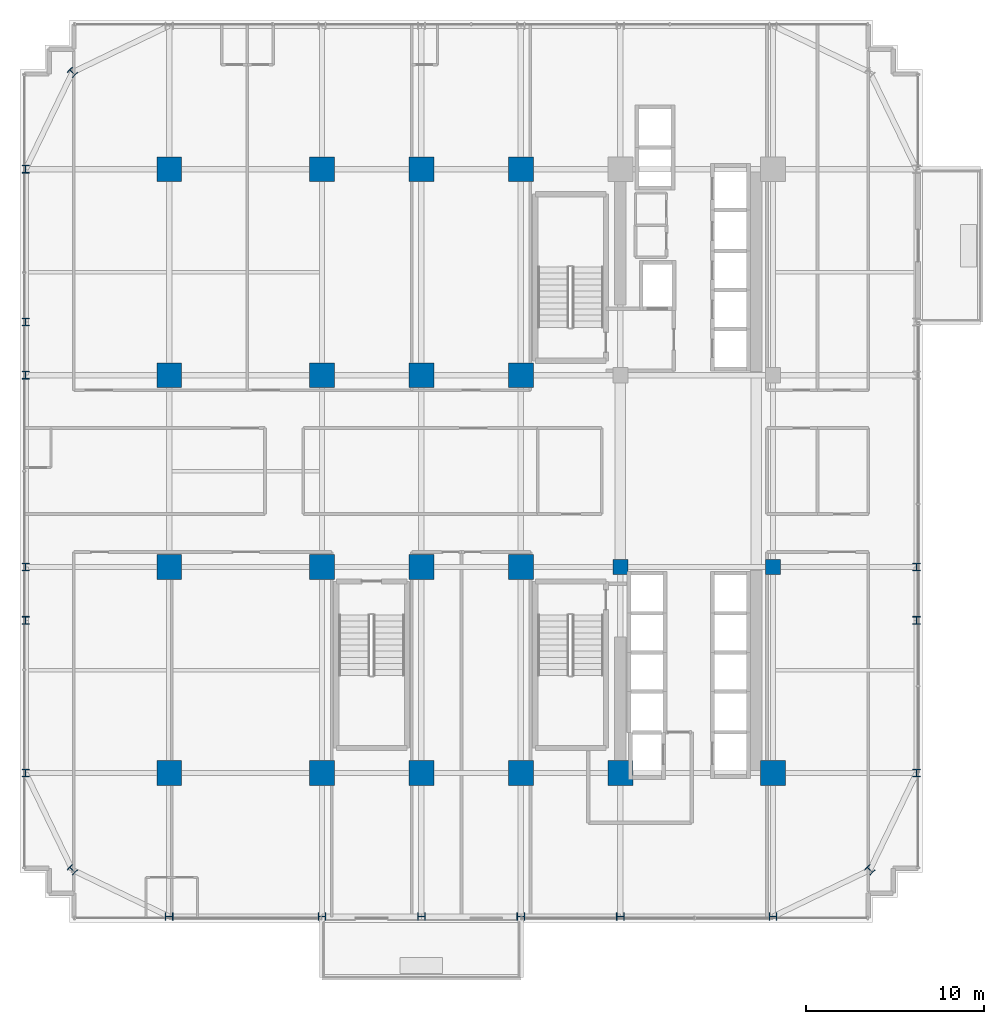
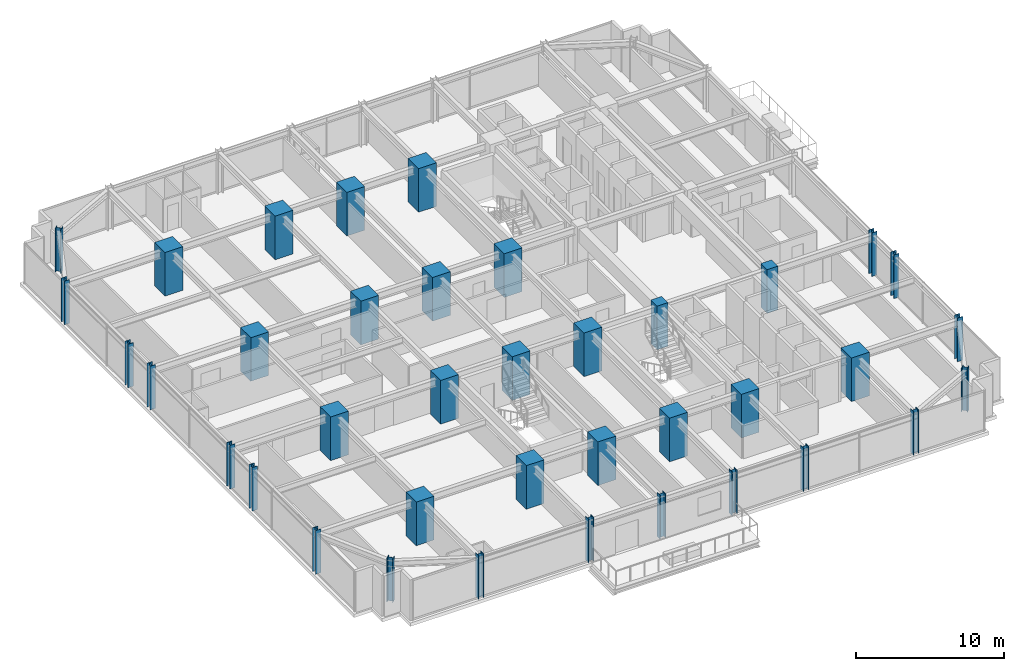
# One storey, part 1 of 36: 38 columns.
"""IFC4 building model written with IfcOpenShell, lengths in metres."""

from ifc_helpers import new_model, si_unit, direction, frame, origin, origin_2d, place, context, subcontext, project, spatial, rectangle, i_section, extrude, source, transform, mapped, material, material_profile, profile_set, type_object, element, save


model = new_model("IFC4")

# Units and contexts
model_context = context("Model", 3, precision=1e-05, world=origin(), true_north=direction((0.0, 1.0)))
body_context = subcontext(model_context, "Body", "Model", "MODEL_VIEW")
ifc_project = project(units=[si_unit("LENGTHUNIT", "METRE"), si_unit("AREAUNIT", "SQUARE_METRE"), si_unit("VOLUMEUNIT", "CUBIC_METRE"), si_unit("PLANEANGLEUNIT", "RADIAN"), si_unit("MASSUNIT", "GRAM", prefix="KILO")], contexts=[model_context])

# Site, building, storey
site_placement = place(None, origin())
site = spatial("IfcSite", under=ifc_project, at=site_placement, CompositionType="ELEMENT")
building_placement = place(site_placement, origin())
building = spatial("IfcBuilding", under=site, at=building_placement, Name="Nahalor Promenade Grand Hotel", CompositionType="ELEMENT")
storey_placement = place(building_placement, frame((0.0, 0.0, 72.550048828125)))
storey = spatial("IfcBuildingStorey", under=building, at=storey_placement, Name="L17", CompositionType="ELEMENT", Elevation=72.550048828125)

# Columns
ifc_material_1 = material(Name="Concrete B-70 (C60/75)", Category="concrete")
ifc_material_profile_1 = material_profile(ifc_material_1, rectangle(XDim=1.4, YDim=1.4, at=origin_2d()), Name="RC 1400x1400")
ifc_profile_set_1 = profile_set([ifc_material_profile_1], Name="Concrete B-70 (C60/75)")
column_type_1 = type_object("IfcColumnType", Name="Col-RC-1400", PredefinedType="COLUMN", material=ifc_profile_set_1)
shared_shape_1 = source(origin(), body_context, "Body", "SweptSolid", [
    extrude(rectangle(XDim=1.4, YDim=1.4, at=origin_2d()), origin(), (0.0, 0.0, 1.0), 3.60498046875),
])
for number, where, z_axis, x_axis, name in (
    (1, (-17.0, -17.0, 0.0), (0.0, 0.0, 1.0), (1.0, 0.0, 0.0), "COL-L17-I00"),
    (2, (-17.0, -5.39990234375, 0.0), (0.0, 0.0, 1.0), (1.0, 0.0, 0.0), "COL-L17-I01"),
    (3, (-17.0, 5.39990234375, 0.0), (0.0, 0.0, 1.0), (1.0, 0.0, 0.0), "COL-L17-I02"),
    (4, (-17.0, 17.0, 0.0), (0.0, 0.0, 1.0), (1.0, 0.0, 0.0), "COL-L17-I03"),
    (5, (-8.39990234375, -17.0, 0.0), (0.0, 0.0, 1.0), (1.0, 0.0, 0.0), "COL-L17-I10"),
    (6, (-8.39990234375, -5.39990234375, 0.0), (0.0, 0.0, 1.0), (1.0, 0.0, 0.0), "COL-L17-I11"),
    (7, (-8.39990234375, 5.39990234375, 0.0), (0.0, 0.0, 1.0), (1.0, 0.0, 0.0), "COL-L17-I12"),
    (8, (-8.39990234375, 17.0, 0.0), (0.0, 0.0, 1.0), (1.0, 0.0, 0.0), "COL-L17-I13"),
    (9, (-2.800048828125, -17.0, 0.0), (0.0, 0.0, 1.0), (1.0, 0.0, 0.0), "COL-L17-I20"),
    (10, (-2.800048828125, -5.39990234375, 0.0), (0.0, 0.0, 1.0), (1.0, 0.0, 0.0), "COL-L17-I21"),
    (11, (-2.800048828125, 5.39990234375, 0.0), (0.0, 0.0, 1.0), (1.0, 0.0, 0.0), "COL-L17-I22"),
    (12, (-2.800048828125, 17.0, 0.0), (0.0, 0.0, 1.0), (1.0, 0.0, 0.0), "COL-L17-I23"),
    (13, (2.800048828125, -17.0, 0.0), (0.0, 0.0, 1.0), (1.0, 0.0, 0.0), "COL-L17-I30"),
    (14, (2.800048828125, -5.39990234375, 0.0), (0.0, 0.0, 1.0), (1.0, 0.0, 0.0), "COL-L17-I31"),
    (15, (2.800048828125, 5.39990234375, 0.0), (0.0, 0.0, 1.0), (1.0, 0.0, 0.0), "COL-L17-I32"),
    (16, (2.800048828125, 17.0, 0.0), (0.0, 0.0, 1.0), (1.0, 0.0, 0.0), "COL-L17-I33"),
    (17, (8.39990234375, -17.0, 0.0), (0.0, 0.0, 1.0), (1.0, 0.0, 0.0), "COL-L17-I40"),
    (18, (17.0, -17.0, 0.0), (0.0, 0.0, 1.0), (1.0, 0.0, 0.0), "COL-L17-I50"),
):
    element("IfcColumn", number, at=place(storey_placement, frame(where, z_axis=z_axis, x_axis=x_axis)), inside=storey, type_object=column_type_1, Name=name, PredefinedType="COLUMN", context=body_context, shape_type="MappedRepresentation", body=[
        mapped(shared_shape_1, transform((0.0, 0.0, 0.0), scale=1.0)),
    ])
ifc_material_profile_2 = material_profile(ifc_material_1, rectangle(XDim=0.85, YDim=0.85, at=origin_2d()), Name="RC 850x850")
ifc_profile_set_2 = profile_set([ifc_material_profile_2], Name="Concrete B-70 (C60/75)")
column_type_2 = type_object("IfcColumnType", Name="Col-Pilaster-850", PredefinedType="PILASTER", material=ifc_profile_set_2)
shared_shape_2 = source(origin(), body_context, "Body", "SweptSolid", [
    extrude(rectangle(XDim=0.85, YDim=0.85, at=origin_2d()), origin(), (0.0, 0.0, 1.0), 3.60498046875),
])
for number, where, z_axis, x_axis, name in (
    (19, (8.39990234375, -5.39990234375, 0.0), (0.0, 0.0, 1.0), (1.0, 0.0, 0.0), "COL-L17-I41"),
    (20, (17.0, -5.39990234375, 0.0), (0.0, 0.0, 1.0), (1.0, 0.0, 0.0), "COL-L17-I51"),
):
    element("IfcColumn", number, at=place(storey_placement, frame(where, z_axis=z_axis, x_axis=x_axis)), inside=storey, type_object=column_type_2, Name=name, PredefinedType="PILASTER", context=body_context, shape_type="MappedRepresentation", body=[
        mapped(shared_shape_2, transform((0.0, 0.0, 0.0), scale=1.0)),
    ])
ifc_material_2 = material(Name="Steel S355J2", Category="steel")
ifc_material_profile_3 = material_profile(ifc_material_2, i_section(OverallWidth=0.412, OverallDepth=0.438, WebThickness=0.0226, FlangeThickness=0.0365, at=origin_2d()), Name="HD 400x463")
ifc_profile_set_3 = profile_set([ifc_material_profile_3], Name="Steel S355J2")
column_type_3 = type_object("IfcColumnType", Name="Col-Steel-HD463", PredefinedType="COLUMN", material=ifc_profile_set_3)
shared_shape_3 = source(origin(), body_context, "Body", "SweptSolid", [
    extrude(i_section(OverallWidth=0.412, OverallDepth=0.438, WebThickness=0.0226, FlangeThickness=0.0365, at=origin_2d()), origin(), (0.0, 0.0, 1.0), 3.60498046875),
])
for number, where, z_axis, x_axis, name in (
    (21, (-25.080078125, -17.0, 0.0), (0.0, 0.0, 1.0), (1.0, 0.0, 0.0), "COL-L17-PW-W0"),
    (22, (25.080078125, -17.0, 0.0), (0.0, 0.0, 1.0), (1.0, 0.0, 0.0), "COL-L17-PW-E0"),
    (23, (-25.080078125, -8.39990234375, 0.0), (0.0, 0.0, 1.0), (1.0, 0.0, 0.0), "COL-L17-PW-W1"),
    (24, (25.080078125, -8.39990234375, 0.0), (0.0, 0.0, 1.0), (1.0, 0.0, 0.0), "COL-L17-PW-E1"),
    (25, (-25.080078125, -5.39990234375, 0.0), (0.0, 0.0, 1.0), (1.0, 0.0, 0.0), "COL-L17-PW-W2"),
    (26, (25.080078125, -5.39990234375, 0.0), (0.0, 0.0, 1.0), (1.0, 0.0, 0.0), "COL-L17-PW-E2"),
    (27, (-25.080078125, 5.39990234375, 0.0), (0.0, 0.0, 1.0), (1.0, 0.0, 0.0), "COL-L17-PW-W3"),
    (28, (-25.080078125, 8.39990234375, 0.0), (0.0, 0.0, 1.0), (1.0, 0.0, 0.0), "COL-L17-PW-W4"),
    (29, (-25.080078125, 17.0, 0.0), (0.0, 0.0, 1.0), (1.0, 0.0, 0.0), "COL-L17-PW-W5"),
    (30, (-17.0, -25.080078125, 0.0), (0.0, 0.0, 1.0), (0.0, 1.0, 0.0), "COL-L17-PN-S0"),
    (31, (-8.39990234375, -25.080078125, 0.0), (0.0, 0.0, 1.0), (0.0, 1.0, 0.0), "COL-L17-PN-S1"),
    (32, (-2.800048828125, -25.080078125, 0.0), (0.0, 0.0, 1.0), (0.0, 1.0, 0.0), "COL-L17-PN-S2"),
    (33, (2.800048828125, -25.080078125, 0.0), (0.0, 0.0, 1.0), (0.0, 1.0, 0.0), "COL-L17-PN-S3"),
    (34, (8.39990234375, -25.080078125, 0.0), (0.0, 0.0, 1.0), (0.0, 1.0, 0.0), "COL-L17-PN-S4"),
    (35, (17.0, -25.080078125, 0.0), (0.0, 0.0, 1.0), (0.0, 1.0, 0.0), "COL-L17-PN-S5"),
    (36, (-22.449951171875, -22.449951171875, 0.0), (0.0, 0.0, 1.0), (0.707106781187, 0.707106781187, 0.0), "COL-L17-CRN-SW"),
    (37, (-22.449951171875, 22.449951171875, 0.0), (0.0, 0.0, 1.0), (0.707106781187, 0.707106781187, 0.0), "COL-L17-CRN-NW"),
    (38, (22.449951171875, -22.449951171875, 0.0), (0.0, 0.0, 1.0), (0.707106781187, 0.707106781187, 0.0), "COL-L17-CRN-SE"),
):
    element("IfcColumn", number, at=place(storey_placement, frame(where, z_axis=z_axis, x_axis=x_axis)), inside=storey, type_object=column_type_3, Name=name, PredefinedType="COLUMN", context=body_context, shape_type="MappedRepresentation", body=[
        mapped(shared_shape_3, transform((0.0, 0.0, 0.0), scale=1.0)),
    ])

save(model, "model.ifc")
